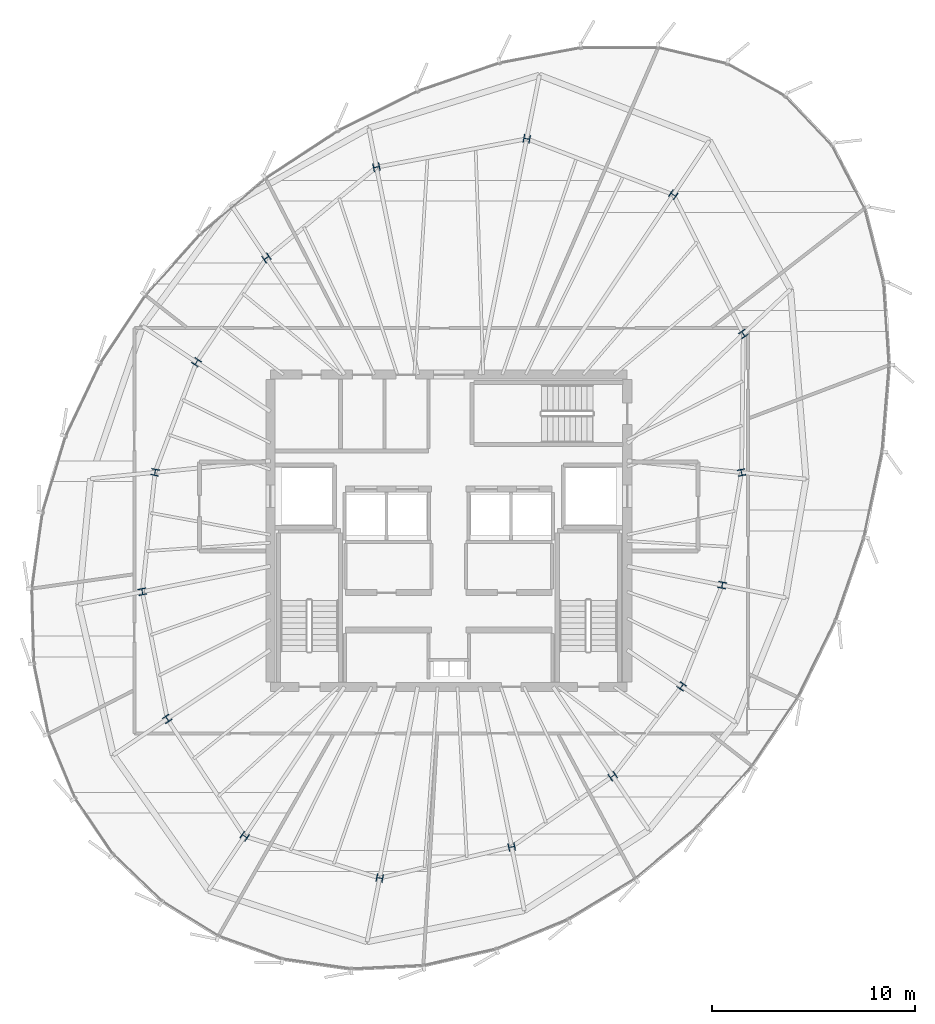
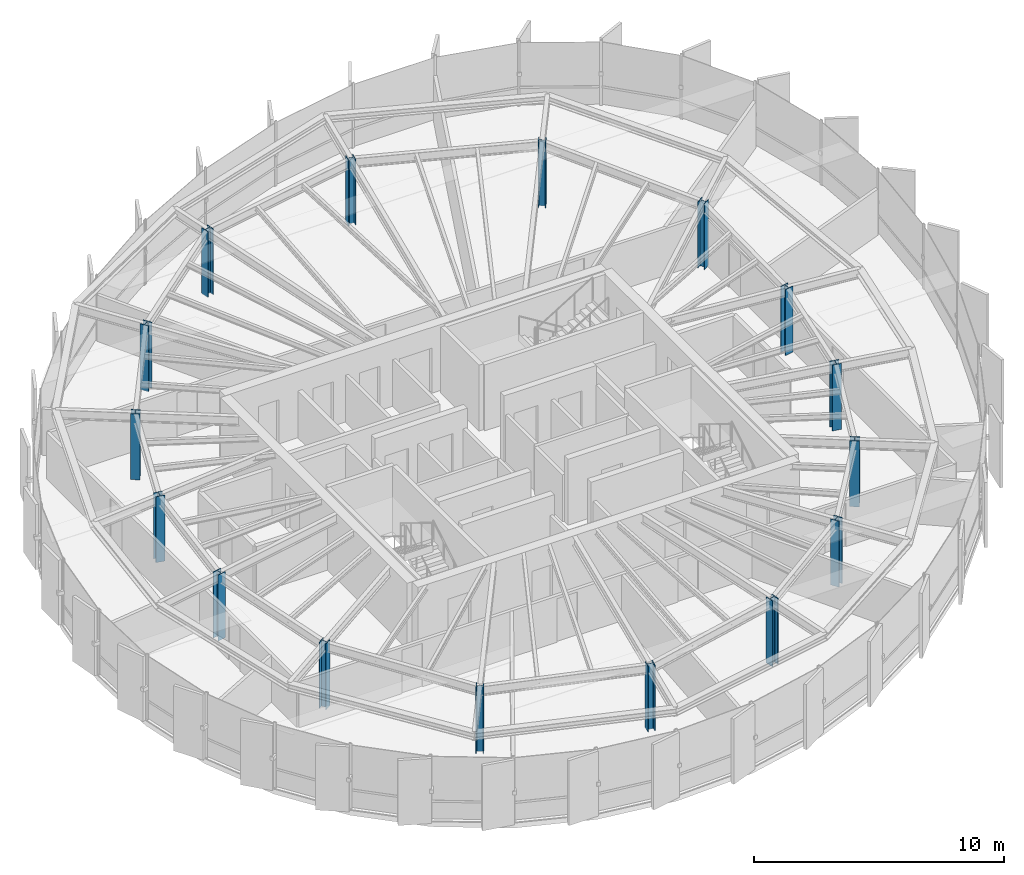
# One storey, part 1 of 35: 16 columns.
"""IFC4 building model written with IfcOpenShell, lengths in metres."""

from ifc_helpers import new_model, si_unit, direction, frame, origin, origin_2d, place, context, subcontext, project, spatial, i_section, extrude, source, transform, mapped, material, material_profile, profile_set, type_object, element, save


model = new_model("IFC4")

# Units and contexts
model_context = context("Model", 3, precision=1e-05, world=origin(), true_north=direction((0.0, 1.0)))
body_context = subcontext(model_context, "Body", "Model", "MODEL_VIEW")
ifc_project = project(units=[si_unit("LENGTHUNIT", "METRE"), si_unit("AREAUNIT", "SQUARE_METRE"), si_unit("VOLUMEUNIT", "CUBIC_METRE"), si_unit("PLANEANGLEUNIT", "RADIAN"), si_unit("MASSUNIT", "GRAM", prefix="KILO"), si_unit("THERMODYNAMICTEMPERATUREUNIT", "KELVIN")], contexts=[model_context])

# Site, building, storey
site_placement = place(None, origin())
site = spatial("IfcSite", under=ifc_project, at=site_placement, CompositionType="ELEMENT")
building_placement = place(site_placement, origin())
building = spatial("IfcBuilding", under=site, at=building_placement, Name="Kethvar Cultural Tower", CompositionType="ELEMENT")
storey_placement = place(building_placement, frame((0.0, 0.0, 245.64990234375)))
storey = spatial("IfcBuildingStorey", under=building, at=storey_placement, Name="L64", CompositionType="ELEMENT", Elevation=245.64990234375)

# Columns
ifc_material = material(Name="Steel S460M", Category="steel")
ifc_material_profile = material_profile(ifc_material, i_section(OverallWidth=0.386962890625, OverallDepth=0.31591796875, WebThickness=0.0185546875, FlangeThickness=0.028076171875, FilletRadius=0.014892578125, at=origin_2d()), Name="Steel S460M — HD400x382")
ifc_profile_set = profile_set([ifc_material_profile], Name="Steel S460M — HD400x382")
column_type = type_object("IfcColumnType", Name="COL-HD382", PredefinedType="COLUMN", material=ifc_profile_set)
shared_shape = source(origin(), body_context, "Body", "SweptSolid", [
    extrude(i_section(OverallWidth=0.386962890625, OverallDepth=0.31591796875, WebThickness=0.0185546875, FlangeThickness=0.028076171875, FilletRadius=0.014892578125, at=origin_2d()), origin(), (0.0, 0.0, 1.0), 3.210205078125),
])
for number, where, z_axis, x_axis, name in (
    (1, (61.237060546875, 30.671630859375, 0.0), (0.0, 0.0, 1.0), (0.980785280403, 0.195090322016, 0.0), "L64 Mega-Column MC-01"),
    (2, (61.32568359375, 37.505859375, 0.0), (0.0, 0.0, 1.0), (0.831469612303, 0.55557023302, 0.0), "L64 Mega-Column MC-02"),
    (3, (57.875244140625, 44.375, 0.0), (0.0, 0.0, 1.0), (0.55557023302, 0.831469612303, 0.0), "L64 Mega-Column MC-03"),
    (4, (50.645263671875, 47.131591796875, 0.0), (0.0, 0.0, 1.0), (0.195090322016, 0.980785280403, 0.0), "L64 Mega-Column MC-04"),
    (5, (43.23291015625, 45.732421875, 0.0), (0.0, 0.0, 1.0), (-0.195090322016, 0.980785280403, 0.0), "L64 Mega-Column MC-05"),
    (6, (37.8095703125, 41.255126953125, 0.0), (0.0, 0.0, 1.0), (-0.55557023302, 0.831469612303, 0.0), "L64 Mega-Column MC-06"),
    (7, (34.35595703125, 36.114990234375, 0.0), (0.0, 0.0, 1.0), (-0.831469612303, 0.55557023302, 0.0), "L64 Mega-Column MC-07"),
    (8, (32.3125, 30.681884765625, 0.0), (0.0, 0.0, 1.0), (-0.980785280403, 0.195090322016, 0.0), "L64 Mega-Column MC-08"),
    (9, (31.68310546875, 24.79296875, 0.0), (0.0, 0.0, 1.0), (-0.980785280403, -0.195090322016, 0.0), "L64 Mega-Column MC-09"),
    (10, (32.912841796875, 18.52099609375, 0.0), (0.0, 0.0, 1.0), (-0.831469612303, -0.55557023302, 0.0), "L64 Mega-Column MC-10"),
    (11, (36.731201171875, 12.73095703125, 0.0), (0.0, 0.0, 1.0), (-0.55557023302, -0.831469612303, 0.0), "L64 Mega-Column MC-11"),
    (12, (43.392822265625, 10.67138671875, 0.0), (0.0, 0.0, 1.0), (-0.195090322016, -0.980785280403, 0.0), "L64 Mega-Column MC-12"),
    (13, (49.901611328125, 12.206787109375, 0.0), (0.0, 0.0, 1.0), (0.195090322016, -0.980785280403, 0.0), "L64 Mega-Column MC-13"),
    (14, (54.885009765625, 15.7001953125, 0.0), (0.0, 0.0, 1.0), (0.55557023302, -0.831469612303, 0.0), "L64 Mega-Column MC-14"),
    (15, (58.287109375, 20.12451171875, 0.0), (0.0, 0.0, 1.0), (0.831469612303, -0.55557023302, 0.0), "L64 Mega-Column MC-15"),
    (16, (60.28369140625, 25.117919921875, 0.0), (0.0, 0.0, 1.0), (0.980785280403, -0.195090322016, 0.0), "L64 Mega-Column MC-16"),
):
    element("IfcColumn", number, at=place(storey_placement, frame(where, z_axis=z_axis, x_axis=x_axis)), inside=storey, type_object=column_type, Name=name, PredefinedType="COLUMN", context=body_context, shape_type="MappedRepresentation", body=[
        mapped(shared_shape, transform((0.0, 0.0, 0.0), scale=1.0)),
    ])

save(model, "model.ifc")
